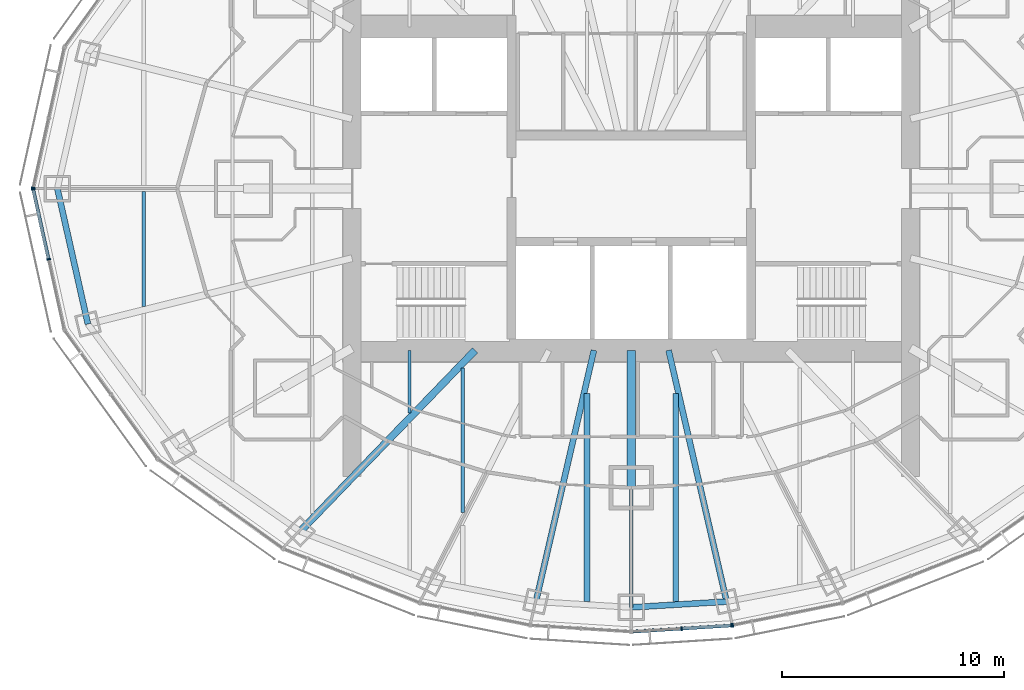
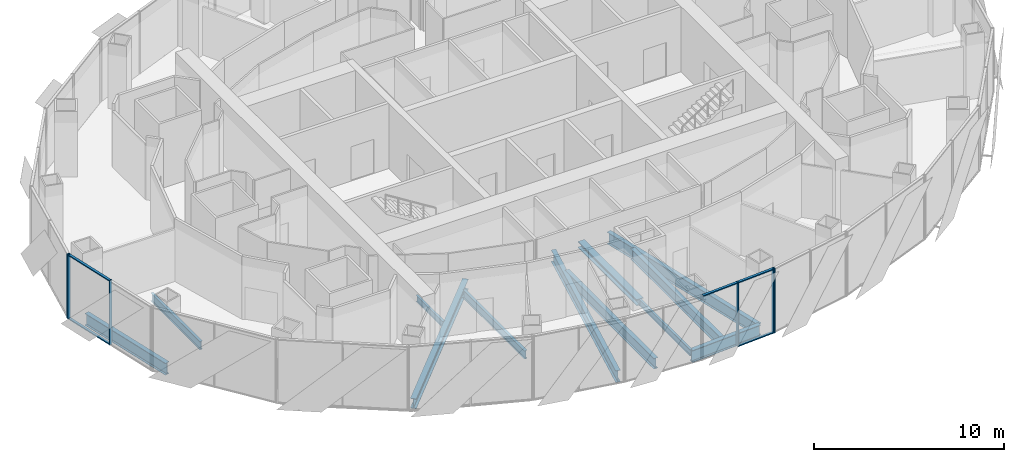
# One storey, part 3 of 18: 12 beams, 11 members, 4 elements without a shape of their own.
"""IFC4 building model written with IfcOpenShell, lengths in metres."""

from ifc_helpers import new_model, si_unit, direction, frame, origin, origin_2d, place, context, subcontext, project, spatial, rectangle, i_section, extrude, material, material_profile, profile_set, type_object, element, aggregate, save


model = new_model("IFC4")

# Units and contexts
model_context = context("Model", 3, precision=1e-05, world=origin(), true_north=direction((0.0, 1.0)))
body_context = subcontext(model_context, "Body", "Model", "MODEL_VIEW")
ifc_project = project(units=[si_unit("LENGTHUNIT", "METRE"), si_unit("AREAUNIT", "SQUARE_METRE"), si_unit("VOLUMEUNIT", "CUBIC_METRE"), si_unit("PLANEANGLEUNIT", "RADIAN"), si_unit("MASSUNIT", "GRAM", prefix="KILO")], contexts=[model_context])

# Site, building, storey
site_placement = place(None, origin())
site = spatial("IfcSite", under=ifc_project, at=site_placement, CompositionType="ELEMENT")
building_placement = place(site_placement, origin())
building = spatial("IfcBuilding", under=site, at=building_placement, Name="Lantaw Convention Tower", CompositionType="ELEMENT")
storey_placement = place(building_placement, frame((0.0, 0.0, 228.39990234375)))
storey = spatial("IfcBuildingStorey", under=building, at=storey_placement, Name="L53", CompositionType="ELEMENT", Elevation=228.39990234375)

# Beams
ifc_material_1 = material(Name="Steel ASTM A992", Category="steel")
ifc_material_profile_1 = material_profile(ifc_material_1, i_section(OverallWidth=0.2666015625, OverallDepth=0.76953125, WebThickness=0.015625, FlangeThickness=0.025390625, FilletRadius=0.0126953125, at=origin_2d()), Name="W30X132")
ifc_profile_set_1 = profile_set([ifc_material_profile_1], Name="Steel ASTM A992")
beam_type_1 = type_object("IfcBeamType", Name="Beam E W30X132", PredefinedType="SPANDREL", material=ifc_profile_set_1)
beam_1_placement = place(storey_placement, frame((-25.89990234375, 0.0, -0.53466796875), z_axis=(0.219857926596, -0.97553190215, 0.0), x_axis=(0.97553190215, 0.219857926596, 0.0)))
element("IfcBeam", 1, at=beam_1_placement, inside=storey, type_object=beam_type_1, Name="Edge beam 13", PredefinedType="SPANDREL", context=body_context, shape_type="SweptSolid", body=[
    extrude(i_section(OverallWidth=0.2666015625, OverallDepth=0.76953125, WebThickness=0.015625, FlangeThickness=0.025390625, FilletRadius=0.0126953125, at=origin_2d()), origin(), (0.0, 0.0, 1.0), 6.267333984375),
])
beam_2_placement = place(storey_placement, frame((0.0, -18.89990234375, -0.53466796875), z_axis=(0.998210730897, 0.059794119452, 0.0), x_axis=(-0.059794119452, 0.998210730897, 0.0)))
element("IfcBeam", 2, at=beam_2_placement, inside=storey, type_object=beam_type_1, Name="Edge beam 19", PredefinedType="SPANDREL", context=body_context, shape_type="SweptSolid", body=[
    extrude(i_section(OverallWidth=0.2666015625, OverallDepth=0.76953125, WebThickness=0.015625, FlangeThickness=0.025390625, FilletRadius=0.0126953125, at=origin_2d()), origin(), (0.0, 0.0, 1.0), 4.311767578125),
])
ifc_material_profile_2 = material_profile(ifc_material_1, i_section(OverallWidth=0.140380859375, OverallDepth=0.40380859375, WebThickness=0.007080078125, FlangeThickness=0.01123046875, FilletRadius=0.01025390625, at=origin_2d()), Name="W16X31")
ifc_profile_set_2 = profile_set([ifc_material_profile_2], Name="Steel ASTM A992")
beam_type_2 = type_object("IfcBeamType", Name="Beam G W16X31", PredefinedType="BEAM", material=ifc_profile_set_2)
beam_3_placement = place(storey_placement, frame((0.0, -13.5, -0.351806640625), z_axis=(0.0, -1.0, 0.0), x_axis=(1.0, 0.0, 0.0)))
element("IfcBeam", 3, at=beam_3_placement, inside=storey, type_object=beam_type_2, Name="Floor girder on ray 19", PredefinedType="BEAM", context=body_context, shape_type="SweptSolid", body=[
    extrude(i_section(OverallWidth=0.140380859375, OverallDepth=0.40380859375, WebThickness=0.007080078125, FlangeThickness=0.01123046875, FilletRadius=0.01025390625, at=origin_2d()), origin(), (0.0, 0.0, 1.0), 5.39990234375),
])
ifc_material_profile_3 = material_profile(ifc_material_1, i_section(OverallWidth=0.32763671875, OverallDepth=0.64013671875, WebThickness=0.01904296875, FlangeThickness=0.033935546875, FilletRadius=0.0126953125, at=origin_2d()), Name="W24X176")
ifc_profile_set_3 = profile_set([ifc_material_profile_3], Name="Steel ASTM A992")
beam_type_3 = type_object("IfcBeamType", Name="Beam G W24X176", PredefinedType="BEAM", material=ifc_profile_set_3)
beam_4_placement = place(storey_placement, frame((-7.049560546875, -7.300048828125, -0.469970703125), z_axis=(-0.694657766726, -0.719340383356, 0.0), x_axis=(0.719340383356, -0.694657766726, 0.0)))
element("IfcBeam", 4, at=beam_4_placement, inside=storey, type_object=beam_type_3, Name="Floor girder on ray 16", PredefinedType="BEAM", context=body_context, shape_type="SweptSolid", body=[
    extrude(i_section(OverallWidth=0.32763671875, OverallDepth=0.64013671875, WebThickness=0.01904296875, FlangeThickness=0.033935546875, FilletRadius=0.0126953125, at=origin_2d()), origin(), (0.0, 0.0, 1.0), 11.364990234375),
])
ifc_material_profile_4 = material_profile(ifc_material_1, i_section(OverallWidth=0.2666015625, OverallDepth=0.7568359375, WebThickness=0.013916015625, FlangeThickness=0.019287109375, FilletRadius=0.0126953125, at=origin_2d()), Name="W30X108")
ifc_profile_set_4 = profile_set([ifc_material_profile_4], Name="Steel ASTM A992")
beam_type_4 = type_object("IfcBeamType", Name="Beam G W30X108", PredefinedType="BEAM", material=ifc_profile_set_4)
for number, where, z_axis, x_axis, name in (
    (5, (-1.685302734375, -7.300048828125, -0.5283203125), (-0.224962134377, -0.974367506692, 0.0), (0.974367506692, -0.224962134377, 0.0), "Floor girder on ray 18"),
    (6, (1.685302734375, -7.300048828125, -0.5283203125), (0.224962134377, -0.974367506692, 0.0), (0.974367506692, 0.224962134377, 0.0), "Floor girder on ray 20"),
):
    element("IfcBeam", number, at=place(storey_placement, frame(where, z_axis=z_axis, x_axis=x_axis)), inside=storey, type_object=beam_type_4, Name=name, PredefinedType="BEAM", context=body_context, shape_type="SweptSolid", body=[
        extrude(i_section(OverallWidth=0.2666015625, OverallDepth=0.7568359375, WebThickness=0.013916015625, FlangeThickness=0.019287109375, FilletRadius=0.0126953125, at=origin_2d()), origin(), (0.0, 0.0, 1.0), 11.640380859375),
    ])
ifc_material_profile_5 = material_profile(ifc_material_1, i_section(OverallWidth=0.40380859375, OverallDepth=0.406494140625, WebThickness=0.027099609375, FlangeThickness=0.043701171875, FilletRadius=0.01513671875, at=origin_2d()), Name="W14X233")
ifc_profile_set_5 = profile_set([ifc_material_profile_5], Name="Steel ASTM A992")
beam_type_5 = type_object("IfcBeamType", Name="Beam GM W14X233", PredefinedType="BEAM", material=ifc_profile_set_5)
beam_5_placement = place(storey_placement, frame((0.0, -7.300048828125, -0.35302734375), z_axis=(0.0, -1.0, 0.0), x_axis=(1.0, 0.0, 0.0)))
element("IfcBeam", 7, at=beam_5_placement, inside=storey, type_object=beam_type_5, Name="Core link beam on ray 19", PredefinedType="BEAM", context=body_context, shape_type="SweptSolid", body=[
    extrude(i_section(OverallWidth=0.40380859375, OverallDepth=0.406494140625, WebThickness=0.027099609375, FlangeThickness=0.043701171875, FilletRadius=0.01513671875, at=origin_2d()), origin(), (0.0, 0.0, 1.0), 6.199951171875),
])
ifc_material_profile_6 = material_profile(ifc_material_1, i_section(OverallWidth=0.140380859375, OverallDepth=0.40380859375, WebThickness=0.007080078125, FlangeThickness=0.01123046875, FilletRadius=0.01025390625, at=origin_2d()), Name="W16X31")
ifc_profile_set_6 = profile_set([ifc_material_profile_6], Name="Steel ASTM A992")
beam_type_6 = type_object("IfcBeamType", Name="Beam J W16X31", PredefinedType="JOIST", material=ifc_profile_set_6)
beam_6_placement = place(storey_placement, frame((-10.0, -10.119384765625, -0.351806640625), z_axis=(0.0, 1.0, 0.0), x_axis=(-1.0, 0.0, 0.0)))
element("IfcBeam", 8, at=beam_6_placement, inside=storey, type_object=beam_type_6, Name="Floor joist", PredefinedType="JOIST", context=body_context, shape_type="SweptSolid", body=[
    extrude(i_section(OverallWidth=0.140380859375, OverallDepth=0.40380859375, WebThickness=0.007080078125, FlangeThickness=0.01123046875, FilletRadius=0.01025390625, at=origin_2d()), origin(), (0.0, 0.0, 1.0), 2.8193359375),
])
ifc_material_profile_7 = material_profile(ifc_material_1, i_section(OverallWidth=0.1650390625, OverallDepth=0.52587890625, WebThickness=0.0087890625, FlangeThickness=0.011474609375, FilletRadius=0.0126953125, at=origin_2d()), Name="W21X44")
ifc_profile_set_7 = profile_set([ifc_material_profile_7], Name="Steel ASTM A992")
beam_type_7 = type_object("IfcBeamType", Name="Beam J W21X44", PredefinedType="JOIST", material=ifc_profile_set_7)
beam_7_placement = place(storey_placement, frame((-22.0, -5.326904296875, -0.412841796875), z_axis=(0.0, 1.0, 0.0), x_axis=(-1.0, 0.0, 0.0)))
element("IfcBeam", 9, at=beam_7_placement, inside=storey, type_object=beam_type_7, Name="Floor joist", PredefinedType="JOIST", context=body_context, shape_type="SweptSolid", body=[
    extrude(i_section(OverallWidth=0.1650390625, OverallDepth=0.52587890625, WebThickness=0.0087890625, FlangeThickness=0.011474609375, FilletRadius=0.0126953125, at=origin_2d()), origin(), (0.0, 0.0, 1.0), 5.199951171875),
])
beam_8_placement = place(storey_placement, frame((-7.60009765625, -14.6220703125, -0.412841796875), z_axis=(0.0, 1.0, 0.0), x_axis=(-1.0, 0.0, 0.0)))
element("IfcBeam", 10, at=beam_8_placement, inside=storey, type_object=beam_type_7, Name="Floor joist", PredefinedType="JOIST", context=body_context, shape_type="SweptSolid", body=[
    extrude(i_section(OverallWidth=0.1650390625, OverallDepth=0.52587890625, WebThickness=0.0087890625, FlangeThickness=0.011474609375, FilletRadius=0.0126953125, at=origin_2d()), origin(), (0.0, 0.0, 1.0), 6.51611328125),
])
ifc_material_profile_8 = material_profile(ifc_material_1, i_section(OverallWidth=0.25390625, OverallDepth=0.683349609375, WebThickness=0.012451171875, FlangeThickness=0.01904296875, FilletRadius=0.01513671875, at=origin_2d()), Name="W27X94")
ifc_profile_set_8 = profile_set([ifc_material_profile_8], Name="Steel ASTM A992")
beam_type_8 = type_object("IfcBeamType", Name="Beam J W27X94", PredefinedType="JOIST", material=ifc_profile_set_8)
for number, where, z_axis, x_axis, name in (
    (11, (-2.0, -18.646484375, -0.491455078125), (0.0, 1.0, 0.0), (-1.0, 0.0, 0.0), "Floor joist"),
    (12, (2.0, -18.646484375, -0.491455078125), (0.0, 1.0, 0.0), (-1.0, 0.0, 0.0), "Floor joist"),
):
    element("IfcBeam", number, at=place(storey_placement, frame(where, z_axis=z_axis, x_axis=x_axis)), inside=storey, type_object=beam_type_8, Name=name, PredefinedType="JOIST", context=body_context, shape_type="SweptSolid", body=[
        extrude(i_section(OverallWidth=0.25390625, OverallDepth=0.683349609375, WebThickness=0.012451171875, FlangeThickness=0.01904296875, FilletRadius=0.01513671875, at=origin_2d()), origin(), (0.0, 0.0, 1.0), 9.390625),
    ])

# Curtain wall, member
ifc_material_2 = material(Name="Aluminium framed curtain wall", Category="aluminium")
curtain_wall_type = type_object("IfcCurtainWallType", Name="Office curtain wall high rise, pale aluminium", PredefinedType="USERDEFINED", material=ifc_material_2)
curtain_wall_1_placement = place(storey_placement, origin())
curtain_wall_1 = element("IfcCurtainWall", 13, at=curtain_wall_1_placement, inside=storey, type_object=curtain_wall_type, Name="Office curtain wall high rise, pale aluminium L53", ObjectType="UNITISED CURTAIN WALL", PredefinedType="USERDEFINED")
ifc_material_3 = material(Name="Aluminium 6063-T6", Category="aluminium")
ifc_material_profile_9 = material_profile(ifc_material_3, rectangle(XDim=0.179931640625, YDim=0.06494140625, at=origin_2d()), Name="CW-O2 mullion 65x180")
ifc_profile_set_9 = profile_set([ifc_material_profile_9], Name="Aluminium 6063-T6")
member_type_1 = type_object("IfcMemberType", Name="CW-O2 mullion 65x180", PredefinedType="MULLION", material=ifc_profile_set_9)
member_1_placement = place(storey_placement, frame((-26.992919921875, 0.03173828125, -0.14990234375), z_axis=(0.0, 0.0, 1.0), x_axis=(0.976417396437, -0.215891333626, 0.0)))
member_1 = element("IfcMember", 14, at=member_1_placement, type_object=member_type_1, Name="CW-O2 mullion 3", PredefinedType="MULLION", context=body_context, shape_type="SweptSolid", body=[
    extrude(rectangle(XDim=0.179931640625, YDim=0.06494140625, at=origin_2d()), origin(), (0.0, 0.0, 1.0), 4.14990234375),
])
aggregate(curtain_wall_1, [member_1])

# Curtain wall, members
curtain_wall_2_placement = place(storey_placement, origin())
curtain_wall_2 = element("IfcCurtainWall", 15, at=curtain_wall_2_placement, inside=storey, type_object=curtain_wall_type, Name="Office curtain wall high rise, pale aluminium L53", ObjectType="UNITISED CURTAIN WALL", PredefinedType="USERDEFINED")
member_2_placement = place(storey_placement, frame((-26.992919921875, -0.03173828125, -0.14990234375), z_axis=(0.0, 0.0, 1.0), x_axis=(0.976417396437, 0.215891333626, 0.0)))
member_2 = element("IfcMember", 16, at=member_2_placement, type_object=member_type_1, Name="CW-O2 mullion 1", PredefinedType="MULLION", context=body_context, shape_type="SweptSolid", body=[
    extrude(rectangle(XDim=0.179931640625, YDim=0.06494140625, at=origin_2d()), origin(), (0.0, 0.0, 1.0), 4.14990234375),
])
member_3_placement = place(storey_placement, frame((-26.294677734375, -3.190185546875, -0.14990234375), z_axis=(0.0, 0.0, 1.0), x_axis=(0.976417396437, 0.215891333626, 0.0)))
member_3 = element("IfcMember", 17, at=member_3_placement, type_object=member_type_1, Name="CW-O2 mullion 2", PredefinedType="MULLION", context=body_context, shape_type="SweptSolid", body=[
    extrude(rectangle(XDim=0.179931640625, YDim=0.06494140625, at=origin_2d()), origin(), (0.0, 0.0, 1.0), 4.14990234375),
])

curtain_wall_3_placement = place(storey_placement, origin())
curtain_wall_3 = element("IfcCurtainWall", 18, at=curtain_wall_3_placement, inside=storey, type_object=curtain_wall_type, Name="Office curtain wall high rise, pale aluminium L53", ObjectType="UNITISED CURTAIN WALL", PredefinedType="USERDEFINED")
member_4_placement = place(storey_placement, frame((2.275634765625, -19.85693359375, -0.14990234375), z_axis=(0.0, 0.0, 1.0), x_axis=(-0.062757983884, 0.998028774865, 0.0)))
member_4 = element("IfcMember", 19, at=member_4_placement, type_object=member_type_1, Name="CW-O2 mullion 2", PredefinedType="MULLION", context=body_context, shape_type="SweptSolid", body=[
    extrude(rectangle(XDim=0.179931640625, YDim=0.06494140625, at=origin_2d()), origin(), (0.0, 0.0, 1.0), 4.14990234375),
])
member_5_placement = place(storey_placement, frame((4.518798828125, -19.7158203125, -0.14990234375), z_axis=(0.0, 0.0, 1.0), x_axis=(-0.062757983884, 0.998028774865, 0.0)))
member_5 = element("IfcMember", 20, at=member_5_placement, type_object=member_type_1, Name="CW-O2 mullion 3", PredefinedType="MULLION", context=body_context, shape_type="SweptSolid", body=[
    extrude(rectangle(XDim=0.179931640625, YDim=0.06494140625, at=origin_2d()), origin(), (0.0, 0.0, 1.0), 4.14990234375),
])

# Curtain wall, member
curtain_wall_4_placement = place(storey_placement, origin())
curtain_wall_4 = element("IfcCurtainWall", 21, at=curtain_wall_4_placement, inside=storey, type_object=curtain_wall_type, Name="Office curtain wall high rise, pale aluminium L53", ObjectType="UNITISED CURTAIN WALL", PredefinedType="USERDEFINED")
member_6_placement = place(storey_placement, frame((4.583251953125, -19.70751953125, -0.14990234375), z_axis=(0.0, 0.0, 1.0), x_axis=(-0.197183095987, 0.980366679695, 0.0)))
member_6 = element("IfcMember", 22, at=member_6_placement, type_object=member_type_1, Name="CW-O2 mullion 1", PredefinedType="MULLION", context=body_context, shape_type="SweptSolid", body=[
    extrude(rectangle(XDim=0.179931640625, YDim=0.06494140625, at=origin_2d()), origin(), (0.0, 0.0, 1.0), 4.14990234375),
])
aggregate(curtain_wall_4, [member_6])

# Member
ifc_material_profile_10 = material_profile(ifc_material_3, rectangle(XDim=0.14990234375, YDim=0.06494140625, at=origin_2d()), Name="CW-O2 transom 65x150")
ifc_profile_set_10 = profile_set([ifc_material_profile_10], Name="Aluminium 6063-T6")
member_type_2 = type_object("IfcMemberType", Name="CW-O2 transom 65x150", PredefinedType="USERDEFINED", material=ifc_profile_set_10)
member_7_placement = place(storey_placement, frame((-26.986083984375, -0.0634765625, -0.117431640625), z_axis=(0.215894607042, -0.976416672661, 0.0), x_axis=(0.976416672661, 0.215894607042, 0.0)))
member_7 = element("IfcMember", 23, at=member_7_placement, type_object=member_type_2, Name="CW-O2 transom 1.1", ObjectType="TRANSOM", PredefinedType="USERDEFINED", context=body_context, shape_type="SweptSolid", body=[
    extrude(rectangle(XDim=0.14990234375, YDim=0.06494140625, at=origin_2d()), origin(), (0.0, 0.0, 1.0), 3.169677734375),
])

member_8_placement = place(storey_placement, frame((-26.986083984375, -0.0634765625, 3.967529296875), z_axis=(0.215894607042, -0.976416672661, 0.0), x_axis=(0.976416672661, 0.215894607042, 0.0)))
member_8 = element("IfcMember", 24, at=member_8_placement, type_object=member_type_2, Name="CW-O2 transom 1.2", ObjectType="TRANSOM", PredefinedType="USERDEFINED", context=body_context, shape_type="SweptSolid", body=[
    extrude(rectangle(XDim=0.14990234375, YDim=0.06494140625, at=origin_2d()), origin(), (0.0, 0.0, 1.0), 3.169677734375),
])

aggregate(curtain_wall_2, [member_2, member_3, member_7, member_8])

member_9_placement = place(storey_placement, frame((0.06494140625, -19.995849609375, 3.967529296875), z_axis=(0.998029003644, 0.062754345555, 0.0), x_axis=(-0.062754345555, 0.998029003644, 0.0)))
member_9 = element("IfcMember", 25, at=member_9_placement, type_object=member_type_2, Name="CW-O2 transom 1.2", ObjectType="TRANSOM", PredefinedType="USERDEFINED", context=body_context, shape_type="SweptSolid", body=[
    extrude(rectangle(XDim=0.14990234375, YDim=0.06494140625, at=origin_2d()), origin(), (0.0, 0.0, 1.0), 2.1826171875),
])

member_10_placement = place(storey_placement, frame((2.30810546875, -19.85498046875, -0.117431640625), z_axis=(0.998021991509, 0.062865765437, 0.0), x_axis=(-0.062865765437, 0.998021991509, 0.0)))
member_10 = element("IfcMember", 26, at=member_10_placement, type_object=member_type_2, Name="CW-O2 transom 2.1", ObjectType="TRANSOM", PredefinedType="USERDEFINED", context=body_context, shape_type="SweptSolid", body=[
    extrude(rectangle(XDim=0.14990234375, YDim=0.06494140625, at=origin_2d()), origin(), (0.0, 0.0, 1.0), 2.1826171875),
])

member_11_placement = place(storey_placement, frame((2.30810546875, -19.85498046875, 3.967529296875), z_axis=(0.998021991509, 0.062865765437, 0.0), x_axis=(-0.062865765437, 0.998021991509, 0.0)))
member_11 = element("IfcMember", 27, at=member_11_placement, type_object=member_type_2, Name="CW-O2 transom 2.2", ObjectType="TRANSOM", PredefinedType="USERDEFINED", context=body_context, shape_type="SweptSolid", body=[
    extrude(rectangle(XDim=0.14990234375, YDim=0.06494140625, at=origin_2d()), origin(), (0.0, 0.0, 1.0), 2.1826171875),
])

aggregate(curtain_wall_3, [member_4, member_5, member_9, member_10, member_11])

save(model, "model.ifc")
